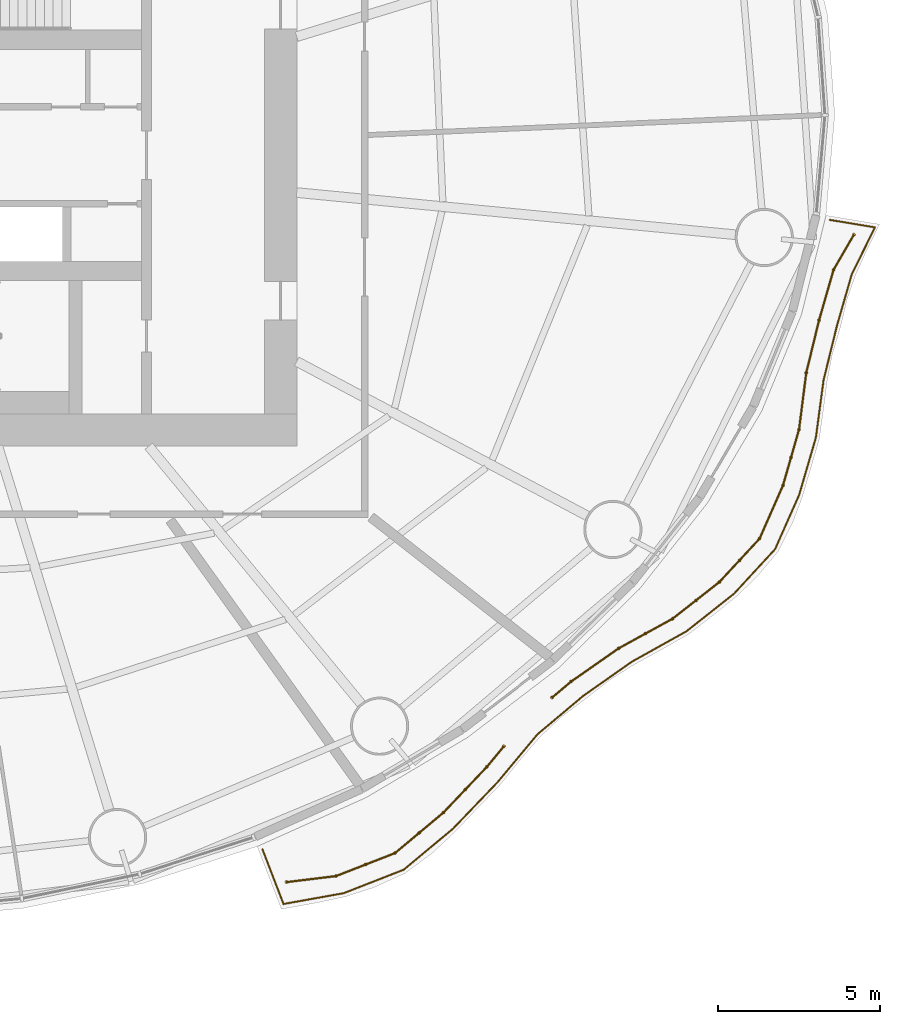
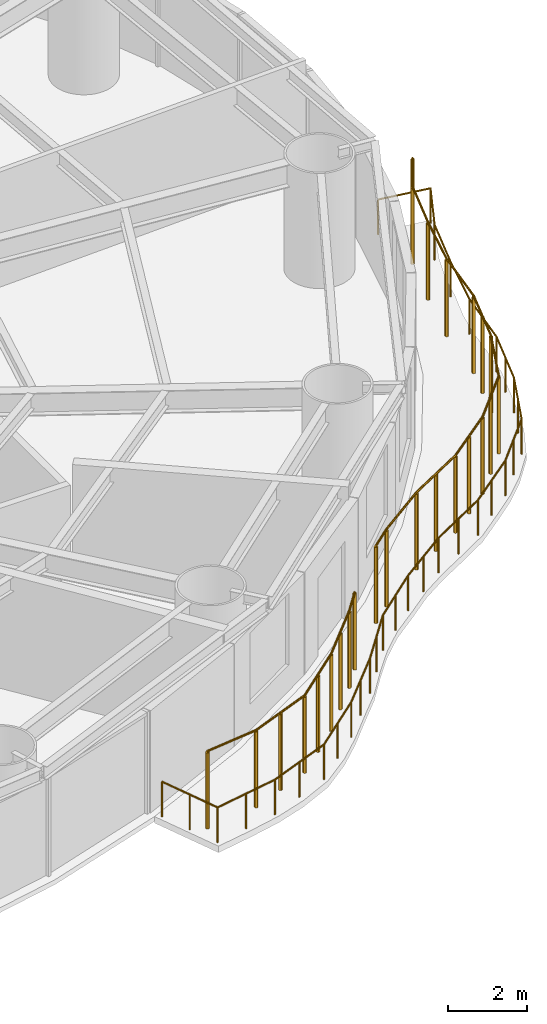
# One storey, part 14 of 16: 3 railings.
"""IFC4 building model written with IfcOpenShell, lengths in metres."""

from ifc_helpers import new_model, si_unit, direction, frame, origin, origin_2d, place, context, subcontext, project, spatial, circle, extrude, material, type_object, element, save


model = new_model("IFC4")

# Units and contexts
model_context = context("Model", 3, precision=1e-05, world=origin(), true_north=direction((0.0, 1.0)))
body_context = subcontext(model_context, "Body", "Model", "MODEL_VIEW")
ifc_project = project(units=[si_unit("LENGTHUNIT", "METRE"), si_unit("AREAUNIT", "SQUARE_METRE"), si_unit("VOLUMEUNIT", "CUBIC_METRE"), si_unit("PLANEANGLEUNIT", "RADIAN"), si_unit("MASSUNIT", "GRAM", prefix="KILO")], contexts=[model_context])

# Site, building, storey
site_placement = place(None, origin())
site = spatial("IfcSite", under=ifc_project, at=site_placement, CompositionType="ELEMENT")
building_placement = place(site_placement, origin())
building = spatial("IfcBuilding", under=site, at=building_placement, Name="Vermilion Reach Broadcast Tower", CompositionType="ELEMENT")
storey_placement = place(building_placement, frame((0.0, 0.0, 69.300048828125)))
storey = spatial("IfcBuildingStorey", under=building, at=storey_placement, Name="L14", CompositionType="ELEMENT", Elevation=69.300048828125)

# Railings
ifc_material_1 = material(Name="Terracotta baguette", Category="masonry")
railing_type_1 = type_object("IfcRailingType", Name="BAGUETTE SCREEN", PredefinedType="USERDEFINED", material=ifc_material_1)
railing_1_placement = place(storey_placement, frame((5.68212890625, -22.485595703125, 0.0)))
element("IfcRailing", 1, at=railing_1_placement, inside=storey, type_object=railing_type_1, Name="Baguette screen L14 group 4 part 1", ObjectType="BAGUETTE SCREEN", PredefinedType="USERDEFINED", context=body_context, shape_type="SweptSolid", body=[
    extrude(circle(Radius=0.030029296875, at=origin_2d()), frame((0.0, 0.0, 2.369873046875), z_axis=(0.992629175051, 0.121191257266, 0.0), x_axis=(-0.121191257266, 0.992629175051, 0.0)), (0.0, 0.0, 1.0), 1.543212890625),
    extrude(circle(Radius=0.030029296875, at=origin_2d()), frame((1.53173828125, 0.18701171875, 2.369873046875), z_axis=(0.931847963733, 0.362848966496, 0.0), x_axis=(-0.362848966496, 0.931847963733, 0.0)), (0.0, 0.0, 1.0), 1.9599609375),
    extrude(circle(Radius=0.030029296875, at=origin_2d()), frame((3.358154296875, 0.898193359375, 2.369873046875), z_axis=(0.766703319257, 0.642001573394, 0.0), x_axis=(-0.642001573394, 0.766703319257, 0.0)), (0.0, 0.0, 1.0), 1.953857421875),
    extrude(circle(Radius=0.030029296875, at=origin_2d()), frame((4.856201171875, 2.152587890625, 2.369873046875), z_axis=(0.688847827719, 0.724905973383, 0.0), x_axis=(-0.724905973383, 0.688847827719, 0.0)), (0.0, 0.0, 1.0), 1.956787109375),
    extrude(circle(Radius=0.030029296875, at=origin_2d()), frame((6.2041015625, 3.571044921875, 2.369873046875), z_axis=(0.636649689428, 0.771153144941, 0.0), x_axis=(-0.771153144941, 0.636649689428, 0.0)), (0.0, 0.0, 1.0), 0.81689453125),
    extrude(circle(Radius=0.050048828125, at=origin_2d()), origin(), (0.0, 0.0, 1.0), 2.33984375),
    extrude(circle(Radius=0.050048828125, at=origin_2d()), frame((1.53173828125, 0.18701171875, 0.0)), (0.0, 0.0, 1.0), 2.33984375),
    extrude(circle(Radius=0.050048828125, at=origin_2d()), frame((2.44482421875, 0.54248046875, 0.0)), (0.0, 0.0, 1.0), 2.33984375),
    extrude(circle(Radius=0.050048828125, at=origin_2d()), frame((3.358154296875, 0.898193359375, 0.0)), (0.0, 0.0, 1.0), 2.33984375),
    extrude(circle(Radius=0.050048828125, at=origin_2d()), frame((4.107177734375, 1.525390625, 0.0)), (0.0, 0.0, 1.0), 2.33984375),
    extrude(circle(Radius=0.050048828125, at=origin_2d()), frame((4.856201171875, 2.152587890625, 0.0)), (0.0, 0.0, 1.0), 2.33984375),
    extrude(circle(Radius=0.050048828125, at=origin_2d()), frame((5.5302734375, 2.86181640625, 0.0)), (0.0, 0.0, 1.0), 2.33984375),
    extrude(circle(Radius=0.050048828125, at=origin_2d()), frame((6.2041015625, 3.571044921875, 0.0)), (0.0, 0.0, 1.0), 2.33984375),
    extrude(circle(Radius=0.050048828125, at=origin_2d()), frame((6.72412109375, 4.200927734375, 0.0)), (0.0, 0.0, 1.0), 2.33984375),
])
railing_2_placement = place(storey_placement, frame((13.897216796875, -16.77685546875, 0.0)))
element("IfcRailing", 2, at=railing_2_placement, inside=storey, type_object=railing_type_1, Name="Baguette screen L14 group 4 part 2", ObjectType="BAGUETTE SCREEN", PredefinedType="USERDEFINED", context=body_context, shape_type="SweptSolid", body=[
    extrude(circle(Radius=0.030029296875, at=origin_2d()), frame((0.0, 0.0, 2.369873046875), z_axis=(0.765717372513, 0.643177195983, 0.0), x_axis=(-0.643177195983, 0.765717372513, 0.0)), (0.0, 0.0, 1.0), 0.76904296875),
    extrude(circle(Radius=0.030029296875, at=origin_2d()), frame((0.5888671875, 0.49462890625, 2.369873046875), z_axis=(0.819684108721, 0.572815818489, 0.0), x_axis=(-0.572815818489, 0.819684108721, 0.0)), (0.0, 0.0, 1.0), 1.7998046875),
    extrude(circle(Radius=0.030029296875, at=origin_2d()), frame((2.064208984375, 1.525634765625, 2.369873046875), z_axis=(0.876481766202, 0.481435056384, 0.0), x_axis=(-0.481435056384, 0.876481766202, 0.0)), (0.0, 0.0, 1.0), 1.899169921875),
    extrude(circle(Radius=0.030029296875, at=origin_2d()), frame((3.728759765625, 2.43994140625, 2.369873046875), z_axis=(0.787041960956, 0.616899466441, 0.0), x_axis=(-0.616899466441, 0.787041960956, 0.0)), (0.0, 0.0, 1.0), 1.836669921875),
    extrude(circle(Radius=0.030029296875, at=origin_2d()), frame((5.17431640625, 3.572998046875, 2.369873046875), z_axis=(0.679782125307, 0.733414113658, 0.0), x_axis=(-0.733414113658, 0.679782125307, 0.0)), (0.0, 0.0, 1.0), 1.83447265625),
    extrude(circle(Radius=0.030029296875, at=origin_2d()), frame((6.42138671875, 4.91845703125, 2.369873046875), z_axis=(0.402292666222, 0.915511119924, 0.0), x_axis=(-0.915511119924, 0.402292666222, 0.0)), (0.0, 0.0, 1.0), 1.798095703125),
    extrude(circle(Radius=0.030029296875, at=origin_2d()), frame((7.144775390625, 6.564697265625, 2.369873046875), z_axis=(0.275919553487, 0.961180732226, 0.0), x_axis=(-0.961180732226, 0.275919553487, 0.0)), (0.0, 0.0, 1.0), 1.802490234375),
    extrude(circle(Radius=0.030029296875, at=origin_2d()), frame((7.64208984375, 8.297119140625, 2.369873046875), z_axis=(0.12609348396, 0.99201836339, 0.0), x_axis=(-0.99201836339, 0.12609348396, 0.0)), (0.0, 0.0, 1.0), 1.765869140625),
    extrude(circle(Radius=0.030029296875, at=origin_2d()), frame((7.86474609375, 10.048828125, 2.369873046875), z_axis=(0.236425967339, 0.971649505721, 0.0), x_axis=(-0.971649505721, 0.236425967339, 0.0)), (0.0, 0.0, 1.0), 1.6748046875),
    extrude(circle(Radius=0.030029296875, at=origin_2d()), frame((8.2607421875, 11.67626953125, 2.369873046875), z_axis=(0.276786744087, 0.960931370233, 0.0), x_axis=(-0.960931370233, 0.276786744087, 0.0)), (0.0, 0.0, 1.0), 1.623046875),
    extrude(circle(Radius=0.030029296875, at=origin_2d()), frame((8.7099609375, 13.23583984375, 2.369873046875), z_axis=(0.500698846289, 0.865621548556, 0.0), x_axis=(-0.865621548556, 0.500698846289, 0.0)), (0.0, 0.0, 1.0), 1.255126953125),
    extrude(circle(Radius=0.050048828125, at=origin_2d()), origin(), (0.0, 0.0, 1.0), 2.33984375),
    extrude(circle(Radius=0.050048828125, at=origin_2d()), frame((0.5888671875, 0.49462890625, 0.0)), (0.0, 0.0, 1.0), 2.33984375),
    extrude(circle(Radius=0.050048828125, at=origin_2d()), frame((2.064208984375, 1.525634765625, 0.0)), (0.0, 0.0, 1.0), 2.33984375),
    extrude(circle(Radius=0.050048828125, at=origin_2d()), frame((2.896484375, 1.98291015625, 0.0)), (0.0, 0.0, 1.0), 2.33984375),
    extrude(circle(Radius=0.050048828125, at=origin_2d()), frame((3.728759765625, 2.43994140625, 0.0)), (0.0, 0.0, 1.0), 2.33984375),
    extrude(circle(Radius=0.050048828125, at=origin_2d()), frame((4.45166015625, 3.00634765625, 0.0)), (0.0, 0.0, 1.0), 2.33984375),
    extrude(circle(Radius=0.050048828125, at=origin_2d()), frame((5.17431640625, 3.572998046875, 0.0)), (0.0, 0.0, 1.0), 2.33984375),
    extrude(circle(Radius=0.050048828125, at=origin_2d()), frame((5.7978515625, 4.24560546875, 0.0)), (0.0, 0.0, 1.0), 2.33984375),
    extrude(circle(Radius=0.050048828125, at=origin_2d()), frame((6.42138671875, 4.91845703125, 0.0)), (0.0, 0.0, 1.0), 2.33984375),
    extrude(circle(Radius=0.050048828125, at=origin_2d()), frame((7.144775390625, 6.564697265625, 0.0)), (0.0, 0.0, 1.0), 2.33984375),
    extrude(circle(Radius=0.050048828125, at=origin_2d()), frame((7.3935546875, 7.430908203125, 0.0)), (0.0, 0.0, 1.0), 2.33984375),
    extrude(circle(Radius=0.050048828125, at=origin_2d()), frame((7.64208984375, 8.297119140625, 0.0)), (0.0, 0.0, 1.0), 2.33984375),
    extrude(circle(Radius=0.050048828125, at=origin_2d()), frame((7.86474609375, 10.048828125, 0.0)), (0.0, 0.0, 1.0), 2.33984375),
    extrude(circle(Radius=0.050048828125, at=origin_2d()), frame((8.2607421875, 11.67626953125, 0.0)), (0.0, 0.0, 1.0), 2.33984375),
    extrude(circle(Radius=0.050048828125, at=origin_2d()), frame((8.7099609375, 13.23583984375, 0.0)), (0.0, 0.0, 1.0), 2.33984375),
    extrude(circle(Radius=0.050048828125, at=origin_2d()), frame((9.33837890625, 14.322265625, 0.0)), (0.0, 0.0, 1.0), 2.33984375),
])
ifc_material_2 = material(Name="Stainless steel 316 balustrade", Category="steel")
railing_type_2 = type_object("IfcRailingType", Name="Balcony guard 1100", PredefinedType="BALUSTRADE", material=ifc_material_2)
railing_3_placement = place(storey_placement, frame((4.939697265625, -21.473388671875, 0.0)))
element("IfcRailing", 3, at=railing_3_placement, inside=storey, type_object=railing_type_2, Name="Balcony guard L14 group 4", PredefinedType="BALUSTRADE", context=body_context, shape_type="SweptSolid", body=[
    extrude(circle(Radius=0.02490234375, at=origin_2d()), frame((0.0, 0.0, 1.0751953125), z_axis=(0.359051412379, -0.933317782574, 0.0), x_axis=(0.933317782574, 0.359051412379, 0.0)), (0.0, 0.0, 1.0), 1.809326171875),
    extrude(circle(Radius=0.02490234375, at=origin_2d()), frame((0.649658203125, -1.688720703125, 1.0751953125), z_axis=(0.984251640784, 0.176773039837, 0.0), x_axis=(-0.176773039837, 0.984251640784, 0.0)), (0.0, 0.0, 1.0), 1.89208984375),
    extrude(circle(Radius=0.02490234375, at=origin_2d()), frame((2.511962890625, -1.354248046875, 1.0751953125), z_axis=(0.931380112167, 0.364048192771, 0.0), x_axis=(-0.364048192771, 0.931380112167, 0.0)), (0.0, 0.0, 1.0), 1.992431640625),
    extrude(circle(Radius=0.02490234375, at=origin_2d()), frame((4.36767578125, -0.62890625, 1.0751953125), z_axis=(0.768694660412, 0.63961591526, 0.0), x_axis=(-0.63961591526, 0.768694660412, 0.0)), (0.0, 0.0, 1.0), 1.986083984375),
    extrude(circle(Radius=0.02490234375, at=origin_2d()), frame((5.894287109375, 0.641357421875, 1.0751953125), z_axis=(0.691916023235, 0.721977989132, 0.0), x_axis=(-0.721977989132, 0.691916023235, 0.0)), (0.0, 0.0, 1.0), 1.98974609375),
    extrude(circle(Radius=0.02490234375, at=origin_2d()), frame((7.27099609375, 2.077880859375, 1.0751953125), z_axis=(0.639935327615, 0.768428771241, 0.0), x_axis=(-0.768428771241, 0.639935327615, 0.0)), (0.0, 0.0, 1.0), 1.928466796875),
    extrude(circle(Radius=0.02490234375, at=origin_2d()), frame((8.505126953125, 3.559814453125, 1.0751953125), z_axis=(0.765896704509, 0.642963636626, 0.0), x_axis=(-0.642963636626, 0.765896704509, 0.0)), (0.0, 0.0, 1.0), 1.85498046875),
    extrude(circle(Radius=0.02490234375, at=origin_2d()), frame((9.92578125, 4.75244140625, 1.0751953125), z_axis=(0.818230600261, 0.5748901502, 0.0), x_axis=(-0.5748901502, 0.818230600261, 0.0)), (0.0, 0.0, 1.0), 1.8349609375),
    extrude(circle(Radius=0.02490234375, at=origin_2d()), frame((11.42724609375, 5.807373046875, 1.0751953125), z_axis=(0.873680630489, 0.486499903298, 0.0), x_axis=(-0.486499903298, 0.873680630489, 0.0)), (0.0, 0.0, 1.0), 1.9345703125),
    extrude(circle(Radius=0.02490234375, at=origin_2d()), frame((13.117431640625, 6.74853515625, 1.0751953125), z_axis=(0.784492269108, 0.620138597178, 0.0), x_axis=(-0.620138597178, 0.784492269108, 0.0)), (0.0, 0.0, 1.0), 1.873046875),
    extrude(circle(Radius=0.02490234375, at=origin_2d()), frame((14.5869140625, 7.91015625, 1.0751953125), z_axis=(0.678128546738, 0.734943313528, 0.0), x_axis=(-0.734943313528, 0.678128546738, 0.0)), (0.0, 0.0, 1.0), 1.87353515625),
    extrude(circle(Radius=0.02490234375, at=origin_2d()), frame((15.857421875, 9.287109375, 1.0751953125), z_axis=(0.405262674463, 0.914200286965, 0.0), x_axis=(-0.914200286965, 0.405262674463, 0.0)), (0.0, 0.0, 1.0), 1.8369140625),
    extrude(circle(Radius=0.02490234375, at=origin_2d()), frame((16.601806640625, 10.96630859375, 1.0751953125), z_axis=(0.280595157667, 0.959826212131, 0.0), x_axis=(-0.959826212131, 0.280595157667, 0.0)), (0.0, 0.0, 1.0), 1.8427734375),
    extrude(circle(Radius=0.02490234375, at=origin_2d()), frame((17.118896484375, 12.735107421875, 1.0751953125), z_axis=(0.132801485689, 0.991142656432, 0.0), x_axis=(-0.991142656432, 0.132801485689, 0.0)), (0.0, 0.0, 1.0), 1.80517578125),
    extrude(circle(Radius=0.02490234375, at=origin_2d()), frame((17.358642578125, 14.5244140625, 1.0751953125), z_axis=(0.239056156427, 0.971005743585, 0.0), x_axis=(-0.971005743585, 0.239056156427, 0.0)), (0.0, 0.0, 1.0), 1.7177734375),
    extrude(circle(Radius=0.02490234375, at=origin_2d()), frame((17.769287109375, 16.1923828125, 1.0751953125), z_axis=(0.276926528076, 0.960891095831, 0.0), x_axis=(-0.960891095831, 0.276926528076, 0.0)), (0.0, 0.0, 1.0), 1.666259765625),
    extrude(circle(Radius=0.02490234375, at=origin_2d()), frame((18.230712890625, 17.79345703125, 1.0751953125), z_axis=(0.442862679874, 0.896589452746, 0.0), x_axis=(-0.896589452746, 0.442862679874, 0.0)), (0.0, 0.0, 1.0), 1.617919921875),
    extrude(circle(Radius=0.02490234375, at=origin_2d()), frame((18.947265625, 19.244140625, 1.0751953125), z_axis=(-0.986482543349, 0.163866383581, 0.0), x_axis=(-0.163866383581, -0.986482543349, 0.0)), (0.0, 0.0, 1.0), 1.412353515625),
    extrude(circle(Radius=0.02490234375, at=origin_2d()), origin(), (0.0, 0.0, 1.0), 1.050048828125),
    extrude(circle(Radius=0.02490234375, at=origin_2d()), frame((0.32470703125, -0.84423828125, 0.0)), (0.0, 0.0, 1.0), 1.050048828125),
    extrude(circle(Radius=0.02490234375, at=origin_2d()), frame((0.649658203125, -1.688720703125, 0.0)), (0.0, 0.0, 1.0), 1.050048828125),
    extrude(circle(Radius=0.02490234375, at=origin_2d()), frame((1.580810546875, -1.521484375, 0.0)), (0.0, 0.0, 1.0), 1.050048828125),
    extrude(circle(Radius=0.02490234375, at=origin_2d()), frame((2.511962890625, -1.354248046875, 0.0)), (0.0, 0.0, 1.0), 1.050048828125),
    extrude(circle(Radius=0.02490234375, at=origin_2d()), frame((3.43994140625, -0.99169921875, 0.0)), (0.0, 0.0, 1.0), 1.050048828125),
    extrude(circle(Radius=0.02490234375, at=origin_2d()), frame((4.36767578125, -0.62890625, 0.0)), (0.0, 0.0, 1.0), 1.050048828125),
    extrude(circle(Radius=0.02490234375, at=origin_2d()), frame((5.130859375, 0.00634765625, 0.0)), (0.0, 0.0, 1.0), 1.050048828125),
    extrude(circle(Radius=0.02490234375, at=origin_2d()), frame((5.894287109375, 0.641357421875, 0.0)), (0.0, 0.0, 1.0), 1.050048828125),
    extrude(circle(Radius=0.02490234375, at=origin_2d()), frame((6.58251953125, 1.359619140625, 0.0)), (0.0, 0.0, 1.0), 1.050048828125),
    extrude(circle(Radius=0.02490234375, at=origin_2d()), frame((7.27099609375, 2.077880859375, 0.0)), (0.0, 0.0, 1.0), 1.050048828125),
    extrude(circle(Radius=0.02490234375, at=origin_2d()), frame((7.88818359375, 2.81884765625, 0.0)), (0.0, 0.0, 1.0), 1.050048828125),
    extrude(circle(Radius=0.02490234375, at=origin_2d()), frame((8.505126953125, 3.559814453125, 0.0)), (0.0, 0.0, 1.0), 1.050048828125),
    extrude(circle(Radius=0.02490234375, at=origin_2d()), frame((9.21533203125, 4.15625, 0.0)), (0.0, 0.0, 1.0), 1.050048828125),
    extrude(circle(Radius=0.02490234375, at=origin_2d()), frame((9.92578125, 4.75244140625, 0.0)), (0.0, 0.0, 1.0), 1.050048828125),
    extrude(circle(Radius=0.02490234375, at=origin_2d()), frame((10.676513671875, 5.27978515625, 0.0)), (0.0, 0.0, 1.0), 1.050048828125),
    extrude(circle(Radius=0.02490234375, at=origin_2d()), frame((11.42724609375, 5.807373046875, 0.0)), (0.0, 0.0, 1.0), 1.050048828125),
    extrude(circle(Radius=0.02490234375, at=origin_2d()), frame((12.2724609375, 6.27783203125, 0.0)), (0.0, 0.0, 1.0), 1.050048828125),
    extrude(circle(Radius=0.02490234375, at=origin_2d()), frame((13.117431640625, 6.74853515625, 0.0)), (0.0, 0.0, 1.0), 1.050048828125),
    extrude(circle(Radius=0.02490234375, at=origin_2d()), frame((13.85205078125, 7.329345703125, 0.0)), (0.0, 0.0, 1.0), 1.050048828125),
    extrude(circle(Radius=0.02490234375, at=origin_2d()), frame((14.5869140625, 7.91015625, 0.0)), (0.0, 0.0, 1.0), 1.050048828125),
    extrude(circle(Radius=0.02490234375, at=origin_2d()), frame((15.22216796875, 8.5986328125, 0.0)), (0.0, 0.0, 1.0), 1.050048828125),
    extrude(circle(Radius=0.02490234375, at=origin_2d()), frame((15.857421875, 9.287109375, 0.0)), (0.0, 0.0, 1.0), 1.050048828125),
    extrude(circle(Radius=0.02490234375, at=origin_2d()), frame((16.2294921875, 10.126708984375, 0.0)), (0.0, 0.0, 1.0), 1.050048828125),
    extrude(circle(Radius=0.02490234375, at=origin_2d()), frame((16.601806640625, 10.96630859375, 0.0)), (0.0, 0.0, 1.0), 1.050048828125),
    extrude(circle(Radius=0.02490234375, at=origin_2d()), frame((16.8603515625, 11.8505859375, 0.0)), (0.0, 0.0, 1.0), 1.050048828125),
    extrude(circle(Radius=0.02490234375, at=origin_2d()), frame((17.118896484375, 12.735107421875, 0.0)), (0.0, 0.0, 1.0), 1.050048828125),
    extrude(circle(Radius=0.02490234375, at=origin_2d()), frame((17.23876953125, 13.6298828125, 0.0)), (0.0, 0.0, 1.0), 1.050048828125),
    extrude(circle(Radius=0.02490234375, at=origin_2d()), frame((17.358642578125, 14.5244140625, 0.0)), (0.0, 0.0, 1.0), 1.050048828125),
    extrude(circle(Radius=0.02490234375, at=origin_2d()), frame((17.769287109375, 16.1923828125, 0.0)), (0.0, 0.0, 1.0), 1.050048828125),
    extrude(circle(Radius=0.02490234375, at=origin_2d()), frame((18.230712890625, 17.79345703125, 0.0)), (0.0, 0.0, 1.0), 1.050048828125),
    extrude(circle(Radius=0.02490234375, at=origin_2d()), frame((18.947265625, 19.244140625, 0.0)), (0.0, 0.0, 1.0), 1.050048828125),
    extrude(circle(Radius=0.02490234375, at=origin_2d()), frame((17.553955078125, 19.4755859375, 0.0)), (0.0, 0.0, 1.0), 1.050048828125),
])

save(model, "model.ifc")
